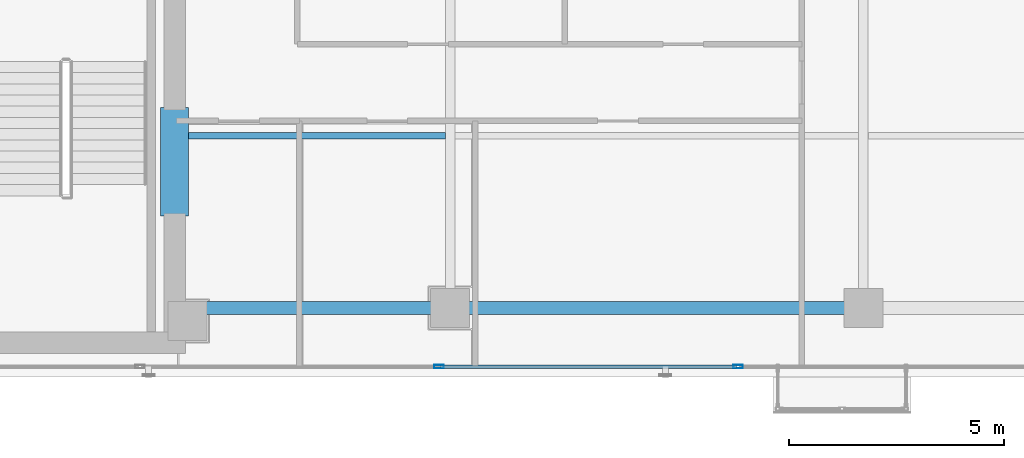
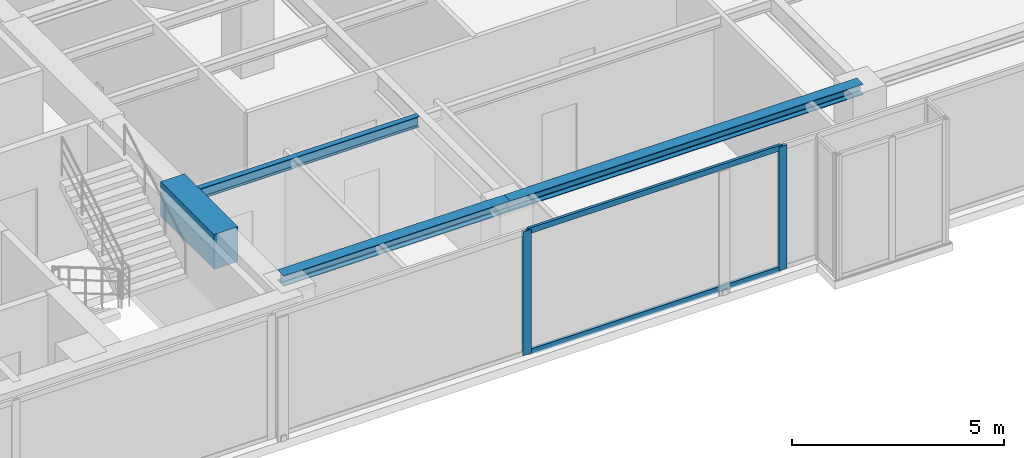
# One storey, part 4 of 24: 4 beams, 4 members, 1 element without a shape of its own.
"""IFC4 building model written with IfcOpenShell, lengths in metres."""

from ifc_helpers import new_model, si_unit, direction, frame, origin, origin_with_axes, origin_2d, place, context, subcontext, project, spatial, rectangle, hollow_rectangle, i_section, extrude, source, transform, mapped, material, layer, layer_set, material_profile, profile_set, type_object, element, aggregate, save


model = new_model("IFC4")

# Units and contexts
model_context = context("Model", 3, precision=1e-05, world=origin(), true_north=direction((0.0, 1.0)))
body_context = subcontext(model_context, "Body", "Model", "MODEL_VIEW")
ifc_project = project(units=[si_unit("LENGTHUNIT", "METRE"), si_unit("AREAUNIT", "SQUARE_METRE"), si_unit("VOLUMEUNIT", "CUBIC_METRE"), si_unit("PLANEANGLEUNIT", "RADIAN"), si_unit("MASSUNIT", "GRAM", prefix="KILO")], contexts=[model_context])

# Site, building, storey
site_placement = place(None, origin())
site = spatial("IfcSite", under=ifc_project, at=site_placement, CompositionType="ELEMENT")
building_placement = place(site_placement, origin())
building = spatial("IfcBuilding", under=site, at=building_placement, Name="Kolvaren Waterfront Exchange", CompositionType="ELEMENT")
storey_placement = place(building_placement, frame((0.0, 0.0, 316.0)))
storey = spatial("IfcBuildingStorey", under=building, at=storey_placement, Name="L81", CompositionType="ELEMENT", Elevation=316.0)

# Beams
ifc_material_1 = material(Name="Steel S355", Category="steel")
ifc_material_profile_1 = material_profile(ifc_material_1, i_section(OverallWidth=0.300048828125, OverallDepth=0.300048828125, WebThickness=0.010986328125, FlangeThickness=0.01904296875, FilletRadius=0.027099609375, at=origin_2d()), Name="HEB300")
ifc_profile_set_1 = profile_set([ifc_material_profile_1], Name="Steel S355")
beam_type_1 = type_object("IfcBeamType", Name="STR-BM-HEB300", PredefinedType="SPANDREL", material=ifc_profile_set_1)
beam_1_placement = place(storey_placement, frame((21.050048828125, 5.199951171875, 3.409912109375), z_axis=(1.0, 0.0, 0.0), x_axis=(0.0, 1.0, 0.0)))
element("IfcBeam", 1, at=beam_1_placement, inside=storey, type_object=beam_type_1, Name="L81 east-arm spandrel S1", PredefinedType="SPANDREL", context=body_context, shape_type="SweptSolid", body=[
    extrude(i_section(OverallWidth=0.300048828125, OverallDepth=0.300048828125, WebThickness=0.010986328125, FlangeThickness=0.01904296875, FilletRadius=0.027099609375, at=origin_2d()), origin(), (0.0, 0.0, 1.0), 6.14990234375),
])
beam_2_placement = place(storey_placement, frame((27.199951171875, 5.199951171875, 3.409912109375), z_axis=(1.0, 0.0, 0.0), x_axis=(0.0, 1.0, 0.0)))
element("IfcBeam", 2, at=beam_2_placement, inside=storey, type_object=beam_type_1, Name="L81 east-arm spandrel S2", PredefinedType="SPANDREL", context=body_context, shape_type="SweptSolid", body=[
    extrude(i_section(OverallWidth=0.300048828125, OverallDepth=0.300048828125, WebThickness=0.010986328125, FlangeThickness=0.01904296875, FilletRadius=0.027099609375, at=origin_2d()), origin(), (0.0, 0.0, 1.0), 9.60009765625),
])
ifc_material_profile_2 = material_profile(ifc_material_1, i_section(OverallWidth=0.14990234375, OverallDepth=0.300048828125, WebThickness=0.007080078125, FlangeThickness=0.0107421875, FilletRadius=0.014892578125, at=origin_2d()), Name="IPE300")
ifc_profile_set_2 = profile_set([ifc_material_profile_2], Name="Steel S355")
beam_type_2 = type_object("IfcBeamType", Name="STR-BM-IPE300", PredefinedType="JOIST", material=ifc_profile_set_2)
beam_3_placement = place(storey_placement, frame((21.10009765625, 9.199951171875, 3.409912109375), z_axis=(1.0, 0.0, 0.0), x_axis=(0.0, 1.0, 0.0)))
element("IfcBeam", 3, at=beam_3_placement, inside=storey, type_object=beam_type_2, Name="L81 east-arm composite joist 1B", PredefinedType="JOIST", context=body_context, shape_type="SweptSolid", body=[
    extrude(i_section(OverallWidth=0.14990234375, OverallDepth=0.300048828125, WebThickness=0.007080078125, FlangeThickness=0.0107421875, FilletRadius=0.014892578125, at=origin_2d()), origin(), (0.0, 0.0, 1.0), 5.98779296875),
])
ifc_material_2 = material(Name="Concrete C60/75", Category="concrete")
ifc_material_profile_3 = material_profile(ifc_material_2, rectangle(XDim=0.64990234375, YDim=1.0, at=origin_2d()), Name="RC-CB-1000x650")
ifc_profile_set_3 = profile_set([ifc_material_profile_3], Name="Concrete C60/75")
beam_type_3 = type_object("IfcBeamType", Name="STR-CB-1000", PredefinedType="SPANDREL", material=ifc_profile_set_3)
beam_4_placement = place(storey_placement, frame((20.800048828125, 7.340087890625, 3.06005859375), z_axis=(0.0, 1.0, 0.0), x_axis=(-1.0, 0.0, 0.0)))
element("IfcBeam", 4, at=beam_4_placement, inside=storey, type_object=beam_type_3, Name="L81 core coupling beam 1", PredefinedType="SPANDREL", context=body_context, shape_type="SweptSolid", body=[
    extrude(rectangle(XDim=0.64990234375, YDim=1.0, at=origin_2d()), origin(), (0.0, 0.0, 1.0), 2.52001953125),
])

# Curtain wall, members
ifc_material_3 = material(Name="Anodised bronze aluminium 6063-T6", Category="aluminium")
ifc_layer = layer(ifc_material_3, 0.219970703125, Name="Anodised bronze aluminium 6063-T6")
ifc_layer_set = layer_set([ifc_layer], Name="Anodised bronze aluminium 6063-T6")
curtain_wall_type = type_object("IfcCurtainWallType", Name="ARC-CW-SYS1", PredefinedType="USERDEFINED", material=ifc_layer_set)
curtain_wall_placement = place(storey_placement, origin())
curtain_wall = element("IfcCurtainWall", 5, at=curtain_wall_placement, inside=storey, type_object=curtain_wall_type, Name="L81 stick curtain wall CW1 (CW-L81-S)", ObjectType="STICK CURTAIN WALL", PredefinedType="USERDEFINED")
ifc_material_4 = material(Name="Anodised aluminium 6063-T6", Category="aluminium")
ifc_material_profile_4 = material_profile(ifc_material_4, hollow_rectangle(XDim=0.080078125, YDim=0.219970703125, WallThickness=0.0048828125, at=origin_2d()), Name="ALU-MUL-220x80x5")
ifc_profile_set_4 = profile_set([ifc_material_profile_4], Name="Anodised aluminium 6063-T6")
member_type_1 = type_object("IfcMemberType", Name="ARC-CWM-220", PredefinedType="MULLION", material=ifc_profile_set_4)
shared_shape_1 = source(origin_with_axes(), body_context, "Body", "SweptSolid", [
    extrude(hollow_rectangle(XDim=0.080078125, YDim=0.219970703125, WallThickness=0.0048828125, at=origin_2d()), origin(), (0.0, 0.0, 1.0), 3.56005859375),
])
member_1_placement = place(storey_placement, frame((26.942138671875, 3.840087890625, 0.0), z_axis=(0.0, 0.0, 1.0), x_axis=(0.0, 1.0, 0.0)))
member_1 = element("IfcMember", 6, at=member_1_placement, type_object=member_type_1, Name="CW1 mullion 4", PredefinedType="MULLION", context=body_context, shape_type="MappedRepresentation", body=[
    mapped(shared_shape_1, transform((0.0, 0.0, 0.0), x_axis=(1.0, 0.0, 0.0), y_axis=(0.0, 1.0, 0.0), z_axis=(0.0, 0.0, 1.0), scale=1.0)),
])
member_2_placement = place(storey_placement, frame((33.889404296875, 3.840087890625, 0.0), z_axis=(0.0, 0.0, 1.0), x_axis=(0.0, 1.0, 0.0)))
member_2 = element("IfcMember", 7, at=member_2_placement, type_object=member_type_1, Name="CW1 mullion 5", PredefinedType="MULLION", context=body_context, shape_type="MappedRepresentation", body=[
    mapped(shared_shape_1, transform((0.0, 0.0, 0.0), x_axis=(1.0, 0.0, 0.0), y_axis=(0.0, 1.0, 0.0), z_axis=(0.0, 0.0, 1.0), scale=1.0)),
])
ifc_material_profile_5 = material_profile(ifc_material_4, hollow_rectangle(XDim=0.074951171875, YDim=0.159912109375, WallThickness=0.00439453125, at=origin_2d()), Name="ALU-TRN-160x75x4.5")
ifc_profile_set_5 = profile_set([ifc_material_profile_5], Name="Anodised aluminium 6063-T6")
member_type_2 = type_object("IfcMemberType", Name="ARC-CWT-160", PredefinedType="USERDEFINED", material=ifc_profile_set_5)
shared_shape_2 = source(origin_with_axes(), body_context, "Body", "SweptSolid", [
    extrude(hollow_rectangle(XDim=0.074951171875, YDim=0.159912109375, WallThickness=0.00439453125, at=origin_2d()), origin(), (0.0, 0.0, 1.0), 6.8671875),
])
member_3_placement = place(storey_placement, frame((26.982177734375, 3.840087890625, 0.03759765625), z_axis=(1.0, 0.0, 0.0), x_axis=(0.0, 1.0, 0.0)))
member_3 = element("IfcMember", 8, at=member_3_placement, type_object=member_type_2, Name="CW1 transom 4.1", ObjectType="TRANSOM", PredefinedType="USERDEFINED", context=body_context, shape_type="MappedRepresentation", body=[
    mapped(shared_shape_2, transform((0.0, 0.0, 0.0), x_axis=(1.0, 0.0, 0.0), y_axis=(0.0, 1.0, 0.0), z_axis=(0.0, 0.0, 1.0), scale=1.0)),
])
member_4_placement = place(storey_placement, frame((26.982177734375, 3.840087890625, 3.5224609375), z_axis=(1.0, 0.0, 0.0), x_axis=(0.0, 1.0, 0.0)))
member_4 = element("IfcMember", 9, at=member_4_placement, type_object=member_type_2, Name="CW1 transom 4.2", ObjectType="TRANSOM", PredefinedType="USERDEFINED", context=body_context, shape_type="MappedRepresentation", body=[
    mapped(shared_shape_2, transform((0.0, 0.0, 0.0), x_axis=(1.0, 0.0, 0.0), y_axis=(0.0, 1.0, 0.0), z_axis=(0.0, 0.0, 1.0), scale=1.0)),
])
aggregate(curtain_wall, [member_1, member_2, member_3, member_4])

save(model, "model.ifc")
